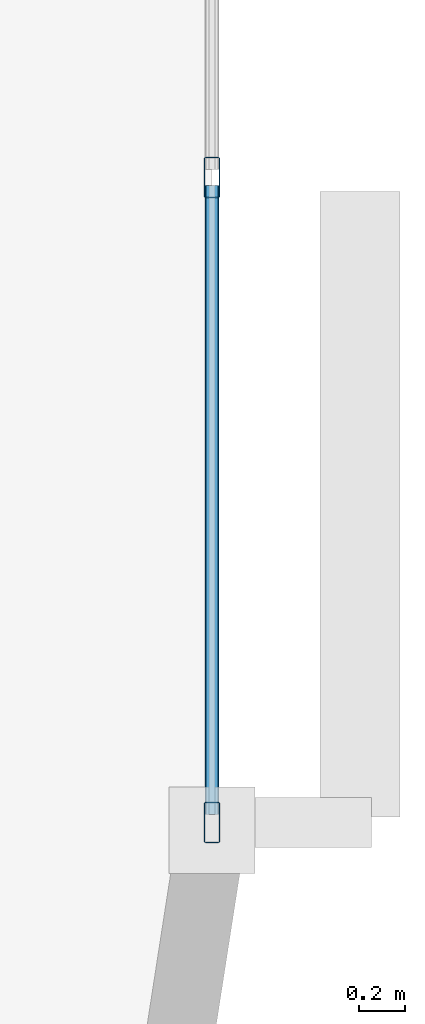
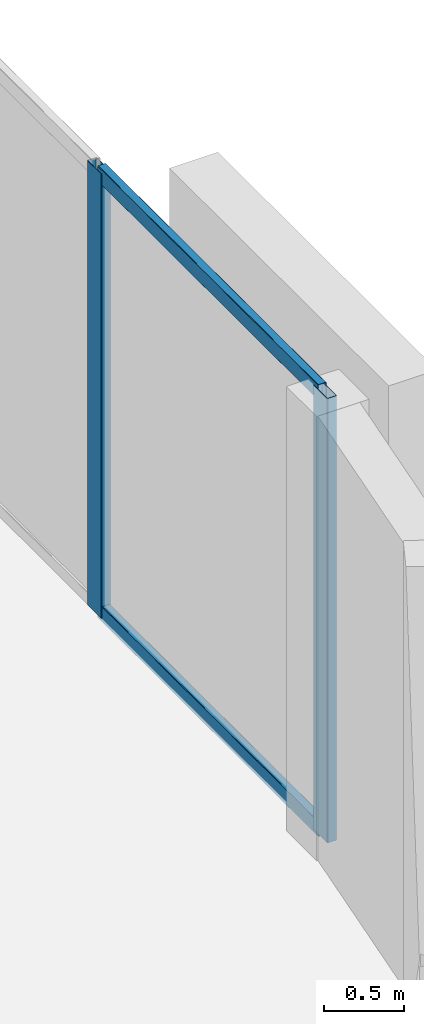
# One storey, part 4 of 16: 4 members, 1 element without a shape of its own.
"""IFC4 building model written with IfcOpenShell, lengths in metres."""

from ifc_helpers import new_model, si_unit, direction, frame, origin, origin_2d, place, context, subcontext, project, spatial, hollow_rectangle, extrude, material, layer, layer_set, material_profile, profile_set, type_object, element, aggregate, save


model = new_model("IFC4")

# Units and contexts
model_context = context("Model", 3, precision=1e-05, world=origin(), true_north=direction((0.0, 1.0)))
body_context = subcontext(model_context, "Body", "Model", "MODEL_VIEW")
ifc_project = project(units=[si_unit("LENGTHUNIT", "METRE"), si_unit("AREAUNIT", "SQUARE_METRE"), si_unit("VOLUMEUNIT", "CUBIC_METRE"), si_unit("PLANEANGLEUNIT", "RADIAN"), si_unit("MASSUNIT", "GRAM", prefix="KILO")], contexts=[model_context])

# Site, building, storey
site_placement = place(None, origin())
site = spatial("IfcSite", under=ifc_project, at=site_placement, CompositionType="ELEMENT")
building_placement = place(site_placement, origin())
building = spatial("IfcBuilding", under=site, at=building_placement, Name="An Khanh Terracotta Commons", CompositionType="ELEMENT")
storey_placement = place(building_placement, frame((0.0, 0.0, 97.10009765625)))
storey = spatial("IfcBuildingStorey", under=building, at=storey_placement, Name="L25", CompositionType="ELEMENT", Elevation=97.10009765625)

# Curtain wall, members
ifc_material = material(Name="Anodised Aluminium 6063-T6", Category="aluminium")
ifc_layer = layer(ifc_material, 0.199951171875, Name="Anodised Aluminium 6063-T6")
ifc_layer_set = layer_set([ifc_layer], Name="Anodised Aluminium 6063-T6")
curtain_wall_type = type_object("IfcCurtainWallType", Name="CW-SYS-02", PredefinedType="USERDEFINED", material=ifc_layer_set)
curtain_wall_placement = place(storey_placement, origin())
curtain_wall = element("IfcCurtainWall", 1, at=curtain_wall_placement, inside=storey, type_object=curtain_wall_type, Name="L25 CW-02 Unitised Curtain Wall CW-L25-12", ObjectType="UNITISED CURTAIN WALL", PredefinedType="USERDEFINED")
ifc_material_profile_1 = material_profile(ifc_material, hollow_rectangle(XDim=0.070068359375, YDim=0.179931640625, WallThickness=0.00390625, InnerFilletRadius=0.00390625, OuterFilletRadius=0.008056640625, at=origin_2d()), Name="RHS180x70x4")
ifc_profile_set_1 = profile_set([ifc_material_profile_1], Name="Anodised Aluminium 6063-T6")
member_type_1 = type_object("IfcMemberType", Name="CWM-RHS180x70x4", PredefinedType="MULLION", material=ifc_profile_set_1)
member_1_placement = place(storey_placement, frame((57.39990234375, 15.43505859375, 0.0), z_axis=(0.0, 0.0, 1.0), x_axis=(-1.0, 0.0, 0.0)))
member_1 = element("IfcMember", 2, at=member_1_placement, type_object=member_type_1, Name="CW-02 mullion 1", PredefinedType="MULLION", context=body_context, shape_type="SweptSolid", body=[
    extrude(hollow_rectangle(XDim=0.070068359375, YDim=0.179931640625, WallThickness=0.00390625, InnerFilletRadius=0.00390625, OuterFilletRadius=0.008056640625, at=origin_2d()), origin(), (0.0, 0.0, 1.0), 3.39990234375),
])
member_2_placement = place(storey_placement, frame((57.39990234375, 18.2666015625, 0.0), z_axis=(0.0, 0.0, 1.0), x_axis=(-1.0, 0.0, 0.0)))
member_2 = element("IfcMember", 3, at=member_2_placement, type_object=member_type_1, Name="CW-02 mullion 2", PredefinedType="MULLION", context=body_context, shape_type="SweptSolid", body=[
    extrude(hollow_rectangle(XDim=0.070068359375, YDim=0.179931640625, WallThickness=0.00390625, InnerFilletRadius=0.00390625, OuterFilletRadius=0.008056640625, at=origin_2d()), origin(), (0.0, 0.0, 1.0), 3.39990234375),
])
ifc_material_profile_2 = material_profile(ifc_material, hollow_rectangle(XDim=0.06005859375, YDim=0.1201171875, WallThickness=0.003662109375, InnerFilletRadius=0.003662109375, OuterFilletRadius=0.007080078125, at=origin_2d()), Name="RHS120x60x3.6")
ifc_profile_set_2 = profile_set([ifc_material_profile_2], Name="Anodised Aluminium 6063-T6")
member_type_2 = type_object("IfcMemberType", Name="CWT-RHS120x60x3.6", PredefinedType="USERDEFINED", material=ifc_profile_set_2)
member_3_placement = place(storey_placement, frame((57.39990234375, 15.469970703125, 0.02978515625), z_axis=(0.0, 1.0, 0.0), x_axis=(-1.0, 0.0, 0.0)))
member_3 = element("IfcMember", 4, at=member_3_placement, type_object=member_type_2, Name="CW-02 transom 1.1", ObjectType="TRANSOM", PredefinedType="USERDEFINED", context=body_context, shape_type="SweptSolid", body=[
    extrude(hollow_rectangle(XDim=0.06005859375, YDim=0.1201171875, WallThickness=0.003662109375, InnerFilletRadius=0.003662109375, OuterFilletRadius=0.007080078125, at=origin_2d()), origin(), (0.0, 0.0, 1.0), 2.76171875),
])
member_4_placement = place(storey_placement, frame((57.39990234375, 15.469970703125, 3.369873046875), z_axis=(0.0, 1.0, 0.0), x_axis=(-1.0, 0.0, 0.0)))
member_4 = element("IfcMember", 5, at=member_4_placement, type_object=member_type_2, Name="CW-02 transom 1.2", ObjectType="TRANSOM", PredefinedType="USERDEFINED", context=body_context, shape_type="SweptSolid", body=[
    extrude(hollow_rectangle(XDim=0.06005859375, YDim=0.1201171875, WallThickness=0.003662109375, InnerFilletRadius=0.003662109375, OuterFilletRadius=0.007080078125, at=origin_2d()), origin(), (0.0, 0.0, 1.0), 2.76171875),
])
aggregate(curtain_wall, [member_1, member_2, member_3, member_4])

save(model, "model.ifc")
